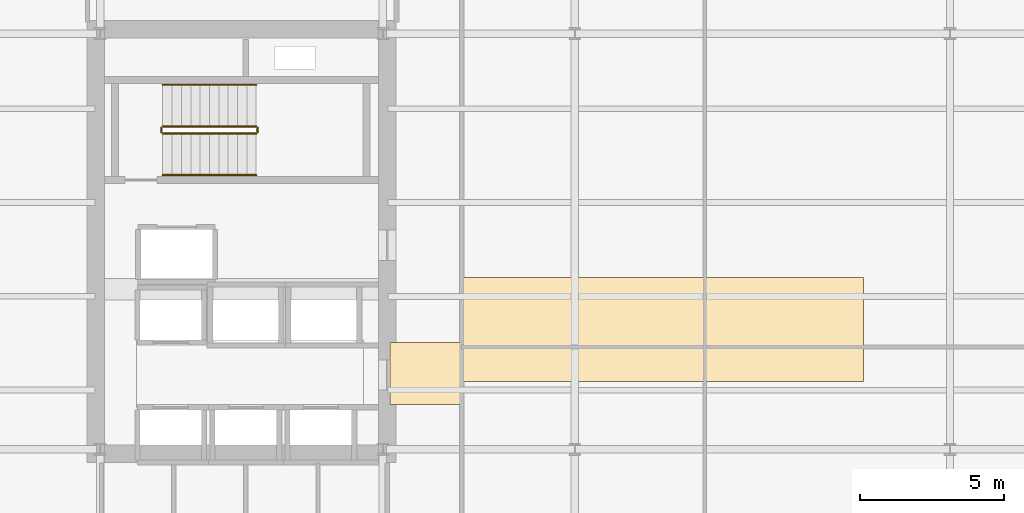
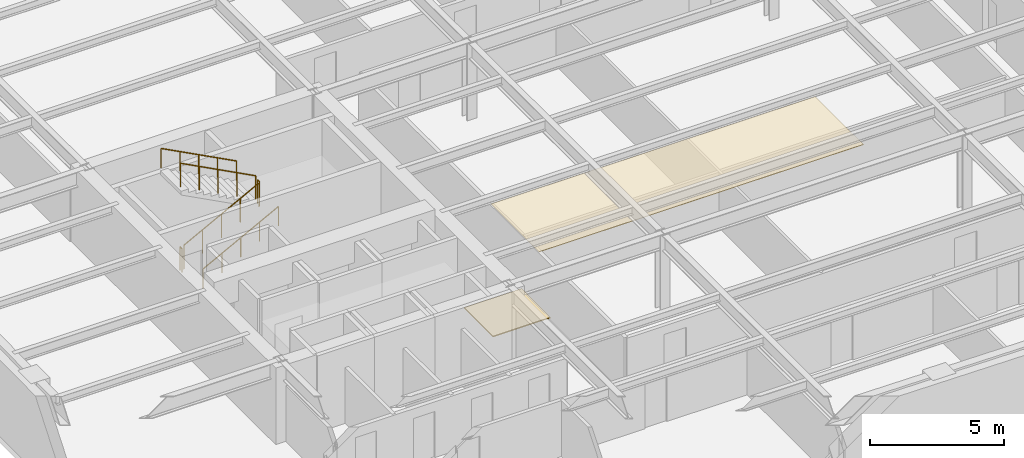
# One storey, part 9 of 11: 6 railings, 2 coverings.
"""IFC4 building model written with IfcOpenShell, lengths in metres."""

import ifcopenshell
import ifcopenshell.guid

model = None  # the IFC model being written
_history = None  # IfcOwnerHistory: only IFC2X3 demands one
_inside = {}  # id of a spatial element -> (the spatial element, [elements in it])
_under = {}  # id of a project, library or spatial element -> (it, [spatial elements below it])
_declared = {}  # id of a project -> (the project, [libraries it declares])
_typed = {}  # id of a type object -> (the type object, [elements of that type])
_made_of = {}  # id of a material, layer set ... -> (it, [elements and type objects made of it])


def new_model(schema):
    """Start an empty IFC model of exactly this schema.

    Asked for "IFC4X3", IfcOpenShell would pick the latest addendum, in which some entities
    have other attributes; the version numbers below select the first issue.
    IFC2X3 requires an IfcOwnerHistory on every rooted entity: one is made here for all.
    """
    global model, _history
    if schema == "IFC4X3":
        model = ifcopenshell.file(schema_version=(4, 3, 0, 0))
    else:
        model = ifcopenshell.file(schema=schema)
    _inside.clear()
    _under.clear()
    _declared.clear()
    _typed.clear()
    _made_of.clear()
    _history = None
    if model.schema == "IFC2X3":
        org = make("IfcOrganization", Name="unknown")
        user = make(
            "IfcPersonAndOrganization",
            ThePerson=make("IfcPerson", FamilyName="unknown"),
            TheOrganization=org,
        )
        app = make(
            "IfcApplication",
            ApplicationDeveloper=org,
            Version="unknown",
            ApplicationFullName="unknown",
            ApplicationIdentifier="unknown",
        )
        _history = make(
            "IfcOwnerHistory",
            OwningUser=user,
            OwningApplication=app,
            ChangeAction="ADDED",
            CreationDate=0,
        )
    return model


def make(cls, **values):
    """One entity of the class cls with the attributes given. An attribute that is None is left unset."""
    return model.create_entity(
        cls, **{name: value for name, value in values.items() if value is not None}
    )


def rooted(cls, **values):
    """An entity with a GlobalId (a new one), such as an element, a storey or a relation."""
    return make(cls, GlobalId=ifcopenshell.guid.new(), OwnerHistory=_history, **values)


def si_unit(unit_type, name, prefix=None):
    """IfcSIUnit, for example si_unit("LENGTHUNIT", "METRE", prefix="MILLI")."""
    return make("IfcSIUnit", UnitType=unit_type, Prefix=prefix, Name=name)


def assignment(units):
    """IfcUnitAssignment: the units of a project."""
    return None if units is None else make("IfcUnitAssignment", Units=units)


def point(xyz):
    """IfcCartesianPoint."""
    return None if xyz is None else make("IfcCartesianPoint", Coordinates=xyz)


def direction(xyz):
    """IfcDirection."""
    return None if xyz is None else make("IfcDirection", DirectionRatios=xyz)


def frame(location, z_axis=None, x_axis=None):
    """IfcAxis2Placement3D, a coordinate frame: its origin and axes. An axis left out is left unset."""
    return make(
        "IfcAxis2Placement3D",
        Location=point(location),
        Axis=direction(z_axis),
        RefDirection=direction(x_axis),
    )


def frame_2d(location, x_axis=None):
    """IfcAxis2Placement2D, a coordinate frame in the plane: its origin and x axis."""
    return make(
        "IfcAxis2Placement2D", Location=point(location), RefDirection=direction(x_axis)
    )


def origin():
    """The frame at (0, 0, 0) with its axes left unset."""
    return frame((0.0, 0.0, 0.0))


def origin_2d():
    """The frame at (0, 0) in the plane with its x axis left unset."""
    return frame_2d((0.0, 0.0))


def place(relative_to, where):
    """IfcLocalPlacement: puts the frame where relative to a parent placement (None: the world)."""
    return make(
        "IfcLocalPlacement", PlacementRelTo=relative_to, RelativePlacement=where
    )


def context(
    kind, dimensions, precision=None, world=None, true_north=None, identifier=None
):
    """IfcGeometricRepresentationContext, for example the 3D "Model" context."""
    return make(
        "IfcGeometricRepresentationContext",
        ContextIdentifier=identifier,
        ContextType=kind,
        CoordinateSpaceDimension=dimensions,
        Precision=precision,
        WorldCoordinateSystem=world,
        TrueNorth=true_north,
    )


def subcontext(parent, identifier, kind, view, scale=None):
    """IfcGeometricRepresentationSubContext, for example "Body" below "Model"."""
    return make(
        "IfcGeometricRepresentationSubContext",
        ContextIdentifier=identifier,
        ContextType=kind,
        ParentContext=parent,
        TargetScale=scale,
        TargetView=view,
    )


def project(units=None, contexts=None):
    """IfcProject with its units and contexts."""
    return rooted(
        "IfcProject",
        Name="project",
        RepresentationContexts=contexts,
        UnitsInContext=assignment(units),
    )


def spatial(cls, under=None, at=None, **own):
    """A site, building, storey or space (cls), placed at a placement, below another one or the project."""
    s = rooted(cls, ObjectPlacement=at, **own)
    if under is not None:
        _under.setdefault(under.id(), (under, []))[1].append(s)
    return s


def polyline(points):
    """IfcPolyline through the points."""
    return make("IfcPolyline", Points=[point(p) for p in points])


def profile(cls, at=None, kind="AREA", **sizes):
    """A parametric profile (cls). Its sizes go by their IFC names, for example OverallWidth=200.0."""
    return make(cls, ProfileType=kind, Position=at, **sizes)


def circle(**sizes):
    """IfcCircleProfileDef."""
    return profile("IfcCircleProfileDef", **sizes)


def outline(outer, holes=None, kind="AREA"):
    """IfcArbitraryClosedProfileDef: a profile drawn as a closed curve; with holes, ...WithVoids."""
    if holes is None:
        return make("IfcArbitraryClosedProfileDef", ProfileType=kind, OuterCurve=outer)
    return make(
        "IfcArbitraryProfileDefWithVoids",
        ProfileType=kind,
        OuterCurve=outer,
        InnerCurves=holes,
    )


def extrude(swept, where, along, depth):
    """IfcExtrudedAreaSolid: the profile swept, set in the frame where, extruded along a direction by depth."""
    return make(
        "IfcExtrudedAreaSolid",
        SweptArea=swept,
        Position=where,
        ExtrudedDirection=direction(along),
        Depth=depth,
    )


def shape(context_of_items, identifier, shape_type, items):
    """IfcShapeRepresentation: the items that make up one representation, for example the "Body"."""
    return make(
        "IfcShapeRepresentation",
        ContextOfItems=context_of_items,
        RepresentationIdentifier=identifier,
        RepresentationType=shape_type,
        Items=items,
    )


def material(Name=None, Category=None):
    """IfcMaterial."""
    return make("IfcMaterial", Name=Name, Category=Category)


def layer(
    of_material, thickness, ventilated=None, Name=None, Category=None, Priority=None
):
    """IfcMaterialLayer: one layer of a wall or slab, of a material (None: an air gap)."""
    return make(
        "IfcMaterialLayer",
        Material=of_material,
        LayerThickness=thickness,
        IsVentilated=ventilated,
        Name=Name,
        Category=Category,
        Priority=Priority,
    )


def layer_set(layers, Name=None):
    """IfcMaterialLayerSet."""
    return make("IfcMaterialLayerSet", MaterialLayers=layers, LayerSetName=Name)


def made_of(thing, what):
    """Note that an element or type object is made of a material, layer set ...; save() writes the relation."""
    if what is not None:
        _made_of.setdefault(what.id(), (what, []))[1].append(thing)
    return thing


def type_object(cls, material=None, **own):
    """A type object (cls), such as IfcWallType, which elements share."""
    return made_of(rooted(cls, **own), material)


def element(
    cls,
    number,
    at=None,
    inside=None,
    cuts=None,
    type_object=None,
    material=None,
    context=None,
    identifier="Body",
    shape_type=None,
    held_by="IfcProductDefinitionShape",
    body=None,
    shapes=None,
    **own,
):
    """One element of the class cls, such as IfcWall. Its Tag is "e" and its number.

    at: its placement. inside: the storey or other place that contains it. cuts: it is an
    opening in that element (IfcRelVoidsElement). A single representation is given by context,
    identifier, shape_type and body (its items); several are given by shapes. held_by: the class
    of the entity that holds the representations. save() writes the other relations.
    """
    e = rooted(cls, Tag="e%d" % number, ObjectPlacement=at, **own)
    if body is not None:
        shapes = [shape(context, identifier, shape_type, body)]
    if shapes is not None:
        e.Representation = make(held_by, Representations=shapes)
    if inside is not None:
        _inside.setdefault(inside.id(), (inside, []))[1].append(e)
    if cuts is not None:
        rooted(
            "IfcRelVoidsElement", RelatingBuildingElement=cuts, RelatedOpeningElement=e
        )
    if type_object is not None:
        _typed.setdefault(type_object.id(), (type_object, []))[1].append(e)
    return made_of(e, material)


def aggregate(whole, parts):
    """IfcRelAggregates: a whole, such as a stair, and the parts it consists of."""
    return rooted("IfcRelAggregates", RelatingObject=whole, RelatedObjects=parts)


def save(model, path):
    """Write the relations noted so far, then the file.

    IfcRelAggregates (storeys below a building ...), IfcRelContainedInSpatialStructure (elements
    in a storey), IfcRelDefinesByType, IfcRelAssociatesMaterial and IfcRelDeclares: one each for
    every whole, place, type object, material and project.
    """
    for whole, parts in _under.values():
        aggregate(whole, parts)
    for where, things in _inside.values():
        rooted(
            "IfcRelContainedInSpatialStructure",
            RelatedElements=things,
            RelatingStructure=where,
        )
    for kind, things in _typed.values():
        rooted("IfcRelDefinesByType", RelatedObjects=things, RelatingType=kind)
    for what, things in _made_of.values():
        rooted("IfcRelAssociatesMaterial", RelatedObjects=things, RelatingMaterial=what)
    for by, libraries in _declared.values():
        rooted("IfcRelDeclares", RelatingContext=by, RelatedDefinitions=libraries)
    model.write(path)


model = new_model("IFC4")

# Units and contexts
model_context = context("Model", 3, precision=1e-05, world=origin(), true_north=direction((0.0, 1.0)))
body_context = subcontext(model_context, "Body", "Model", "MODEL_VIEW")
ifc_project = project(units=[si_unit("LENGTHUNIT", "METRE"), si_unit("AREAUNIT", "SQUARE_METRE"), si_unit("VOLUMEUNIT", "CUBIC_METRE"), si_unit("PLANEANGLEUNIT", "RADIAN"), si_unit("MASSUNIT", "GRAM", prefix="KILO")], contexts=[model_context])

# Site, building, storey
site_placement = place(None, origin())
site = spatial("IfcSite", under=ifc_project, at=site_placement, CompositionType="ELEMENT")
building_placement = place(site_placement, origin())
building = spatial("IfcBuilding", under=site, at=building_placement, Name="Kolvaren Arena Tower", CompositionType="ELEMENT")
storey_placement = place(building_placement, frame((0.0, 0.0, 162.199951171875)))
storey = spatial("IfcBuildingStorey", under=building, at=storey_placement, Name="L38", CompositionType="ELEMENT", Elevation=162.199951171875)

# Coverings
ifc_material_1 = material(Name="Mineral fibre acoustic ceiling tile", Category="gypsum")
ifc_layer_1 = layer(ifc_material_1, 0.02490234375)
ifc_layer_set_1 = layer_set([ifc_layer_1], Name="Mineral fibre acoustic ceiling tile")
covering_type_1 = type_object("IfcCoveringType", Name="CEIL-ACT-1", PredefinedType="CEILING", material=ifc_layer_set_1)
covering_1_placement = place(storey_placement, frame((0.0, 0.0, 2.52001953125)))
element("IfcCovering", 1, at=covering_1_placement, inside=storey, type_object=covering_type_1, Name="Suspended Ceiling (L38)", PredefinedType="CEILING", context=body_context, shape_type="SweptSolid", body=[
    extrude(outline(polyline([(27.050048828125, 21.800048828125), (27.050048828125, 25.39990234375), (41.0, 25.39990234375), (41.0, 21.800048828125), (27.050048828125, 21.800048828125)])), origin(), (0.0, 0.0, 1.0), 0.025146484375),
])
ifc_material_2 = material(Name="Raised access office floor finish", Category="aluminium")
ifc_layer_2 = layer(ifc_material_2, 0.044921875)
ifc_layer_set_2 = layer_set([ifc_layer_2], Name="Raised access office floor finish")
covering_type_2 = type_object("IfcCoveringType", Name="FLOR-RAF-1", PredefinedType="FLOORING", material=ifc_layer_set_2)
covering_2_placement = place(storey_placement, origin())
element("IfcCovering", 2, at=covering_2_placement, inside=storey, type_object=covering_type_2, Name="Floor Finish (L38)", PredefinedType="FLOORING", context=body_context, shape_type="SweptSolid", body=[
    extrude(outline(polyline([(24.60009765625, 21.0), (24.60009765625, 23.14990234375), (27.080078125, 23.14990234375), (27.080078125, 21.0), (24.60009765625, 21.0)])), origin(), (0.0, 0.0, 1.0), 0.045166015625),
])

# Railings
ifc_material_3 = material(Name="Painted galvanized steel", Category="steel")
railing_type_1 = type_object("IfcRailingType", Name="GUARD-ST-110", PredefinedType="GUARDRAIL", material=ifc_material_3)
railing_1_placement = place(storey_placement, frame((16.719970703125, 30.389892578125, 0.17041015625)))
element("IfcRailing", 3, at=railing_1_placement, inside=storey, type_object=railing_type_1, Name="L38 ST-W1 stair guard 1", PredefinedType="GUARDRAIL", context=body_context, shape_type="SweptSolid", body=[
    extrude(circle(Radius=0.02392578125, at=origin_2d()), frame((0.0, 0.0, 1.076171875), z_axis=(0.884993431791, 0.0, 0.465603506952), x_axis=(0.0, 1.0, 0.0)), (0.0, 0.0, 1.0), 3.6611328125),
    extrude(circle(Radius=0.02099609375, at=origin_2d()), origin(), (0.0, 0.0, 1.0), 1.052001953125),
    extrude(circle(Radius=0.02099609375, at=origin_2d()), frame((0.81005859375, 0.0, 0.42626953125)), (0.0, 0.0, 1.0), 1.052001953125),
    extrude(circle(Radius=0.02099609375, at=origin_2d()), frame((1.6201171875, 0.0, 0.852294921875)), (0.0, 0.0, 1.0), 1.052001953125),
    extrude(circle(Radius=0.02099609375, at=origin_2d()), frame((2.429931640625, 0.0, 1.2783203125)), (0.0, 0.0, 1.0), 1.052001953125),
    extrude(circle(Radius=0.02099609375, at=origin_2d()), frame((3.239990234375, 0.0, 1.70458984375)), (0.0, 0.0, 1.0), 1.052001953125),
])
railing_2_placement = place(storey_placement, frame((20.010009765625, 30.43994140625, 1.875)))
element("IfcRailing", 4, at=railing_2_placement, inside=storey, type_object=railing_type_1, Name="L38 ST-W1 stair guard 2", PredefinedType="GUARDRAIL", context=body_context, shape_type="SweptSolid", body=[
    extrude(circle(Radius=0.02392578125, at=origin_2d()), frame((0.0, 0.0, 1.076171875), z_axis=(0.0, 1.0, 0.0), x_axis=(-1.0, 0.0, 0.0)), (0.0, 0.0, 1.0), 0.150146484375),
    extrude(circle(Radius=0.02099609375, at=origin_2d()), origin(), (0.0, 0.0, 1.0), 1.052001953125),
    extrude(circle(Radius=0.02099609375, at=origin_2d()), frame((0.0, 0.150146484375, 0.0)), (0.0, 0.0, 1.0), 1.052001953125),
])
railing_3_placement = place(storey_placement, frame((19.9599609375, 30.639892578125, 2.04541015625)))
element("IfcRailing", 5, at=railing_3_placement, inside=storey, type_object=railing_type_1, Name="L38 ST-W1 stair guard 3", PredefinedType="GUARDRAIL", context=body_context, shape_type="SweptSolid", body=[
    extrude(circle(Radius=0.02392578125, at=origin_2d()), frame((0.0, 0.0, 1.076171875), z_axis=(-0.884993431791, 0.0, 0.465603506952), x_axis=(0.0, -1.0, 0.0)), (0.0, 0.0, 1.0), 3.6611328125),
    extrude(circle(Radius=0.02099609375, at=origin_2d()), origin(), (0.0, 0.0, 1.0), 1.052001953125),
    extrude(circle(Radius=0.02099609375, at=origin_2d()), frame((-0.81005859375, 0.0, 0.42626953125)), (0.0, 0.0, 1.0), 1.052001953125),
    extrude(circle(Radius=0.02099609375, at=origin_2d()), frame((-1.6201171875, 0.0, 0.852294921875)), (0.0, 0.0, 1.0), 1.052001953125),
    extrude(circle(Radius=0.02099609375, at=origin_2d()), frame((-2.429931640625, 0.0, 1.2783203125)), (0.0, 0.0, 1.0), 1.052001953125),
    extrude(circle(Radius=0.02099609375, at=origin_2d()), frame((-3.239990234375, 0.0, 1.70458984375)), (0.0, 0.0, 1.0), 1.052001953125),
])
railing_4_placement = place(storey_placement, frame((16.669921875, 30.43994140625, 0.0)))
element("IfcRailing", 6, at=railing_4_placement, inside=storey, type_object=railing_type_1, Name="L38 ST-W1 stair guard 4", PredefinedType="GUARDRAIL", context=body_context, shape_type="SweptSolid", body=[
    extrude(circle(Radius=0.02392578125, at=origin_2d()), frame((0.0, 0.0, 1.076171875), z_axis=(0.0, 1.0, 0.0), x_axis=(-1.0, 0.0, 0.0)), (0.0, 0.0, 1.0), 0.150146484375),
    extrude(circle(Radius=0.02099609375, at=origin_2d()), origin(), (0.0, 0.0, 1.0), 1.052001953125),
    extrude(circle(Radius=0.02099609375, at=origin_2d()), frame((0.0, 0.150146484375, 0.0)), (0.0, 0.0, 1.0), 1.052001953125),
])
ifc_material_4 = material(Name="Brushed stainless steel handrail", Category="steel")
railing_type_2 = type_object("IfcRailingType", Name="HRAIL-900", PredefinedType="HANDRAIL", material=ifc_material_4)
railing_5_placement = place(storey_placement, frame((16.719970703125, 28.949951171875, 0.17041015625)))
element("IfcRailing", 7, at=railing_5_placement, inside=storey, type_object=railing_type_2, Name="L38 ST-W1 stair handrail 1", PredefinedType="HANDRAIL", context=body_context, shape_type="SweptSolid", body=[
    extrude(circle(Radius=0.02392578125, at=origin_2d()), frame((0.0, 0.0, 0.8759765625), z_axis=(0.884993431791, 0.0, 0.465603506952), x_axis=(0.0, 1.0, 0.0)), (0.0, 0.0, 1.0), 3.6611328125),
    extrude(circle(Radius=0.02099609375, at=origin_2d()), origin(), (0.0, 0.0, 1.0), 0.851806640625),
    extrude(circle(Radius=0.02099609375, at=origin_2d()), frame((0.81005859375, 0.0, 0.42626953125)), (0.0, 0.0, 1.0), 0.851806640625),
    extrude(circle(Radius=0.02099609375, at=origin_2d()), frame((1.6201171875, 0.0, 0.852294921875)), (0.0, 0.0, 1.0), 0.851806640625),
    extrude(circle(Radius=0.02099609375, at=origin_2d()), frame((2.429931640625, 0.0, 1.2783203125)), (0.0, 0.0, 1.0), 0.851806640625),
    extrude(circle(Radius=0.02099609375, at=origin_2d()), frame((3.239990234375, 0.0, 1.70458984375)), (0.0, 0.0, 1.0), 0.851806640625),
])
railing_6_placement = place(storey_placement, frame((19.9599609375, 32.080078125, 2.04541015625)))
element("IfcRailing", 8, at=railing_6_placement, inside=storey, type_object=railing_type_2, Name="L38 ST-W1 stair handrail 2", PredefinedType="HANDRAIL", context=body_context, shape_type="SweptSolid", body=[
    extrude(circle(Radius=0.02392578125, at=origin_2d()), frame((0.0, 0.0, 0.8759765625), z_axis=(-0.884993431791, 0.0, 0.465603506952), x_axis=(0.0, -1.0, 0.0)), (0.0, 0.0, 1.0), 3.6611328125),
    extrude(circle(Radius=0.02099609375, at=origin_2d()), origin(), (0.0, 0.0, 1.0), 0.851806640625),
    extrude(circle(Radius=0.02099609375, at=origin_2d()), frame((-0.81005859375, 0.0, 0.42626953125)), (0.0, 0.0, 1.0), 0.851806640625),
    extrude(circle(Radius=0.02099609375, at=origin_2d()), frame((-1.6201171875, 0.0, 0.852294921875)), (0.0, 0.0, 1.0), 0.851806640625),
    extrude(circle(Radius=0.02099609375, at=origin_2d()), frame((-2.429931640625, 0.0, 1.2783203125)), (0.0, 0.0, 1.0), 0.851806640625),
    extrude(circle(Radius=0.02099609375, at=origin_2d()), frame((-3.239990234375, 0.0, 1.70458984375)), (0.0, 0.0, 1.0), 0.851806640625),
])

save(model, "model.ifc")
